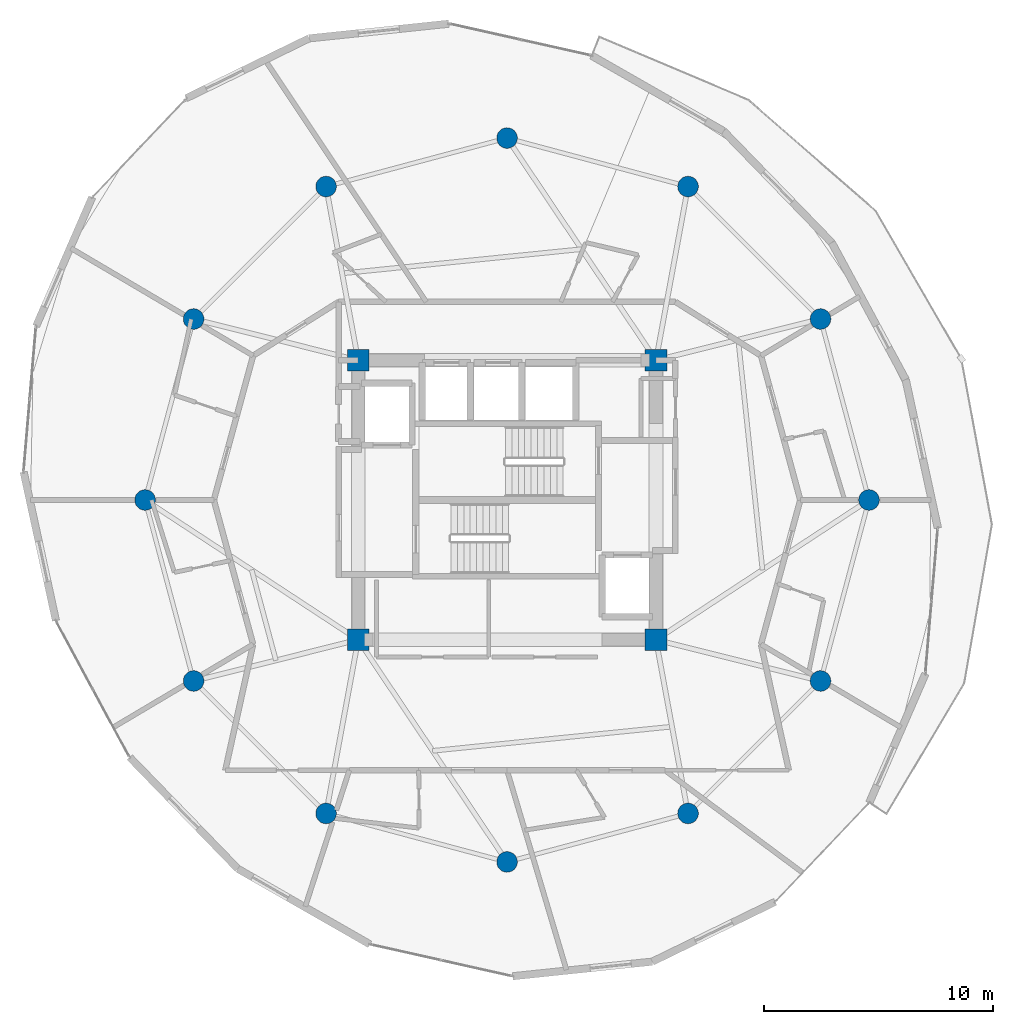
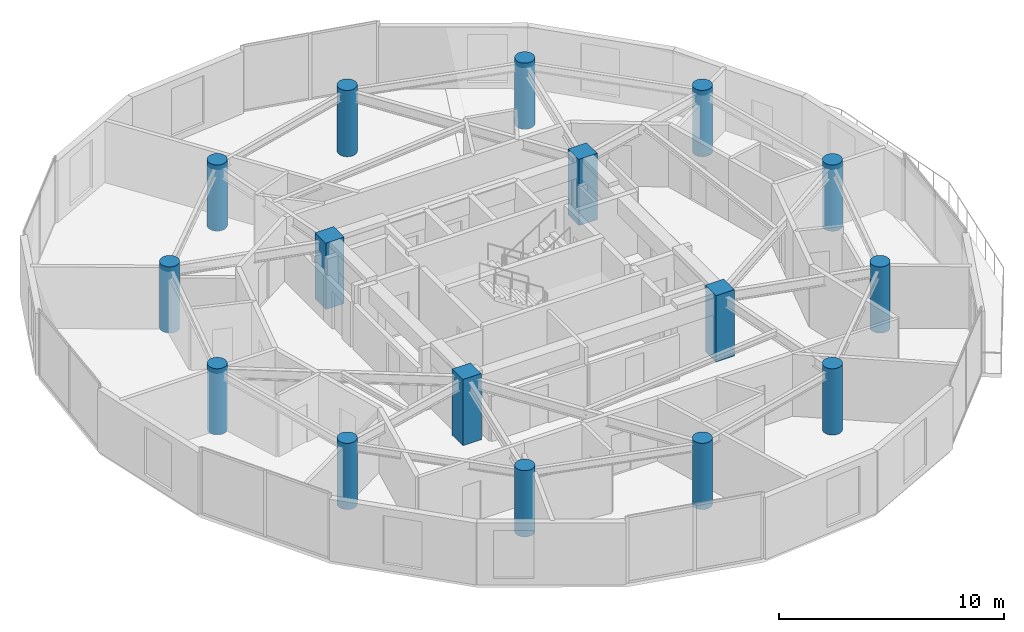
# One storey, part 1 of 23: 16 columns.
"""IFC4 building model written with IfcOpenShell, lengths in metres."""

from ifc_helpers import new_model, si_unit, direction, frame, origin, origin_2d, place, context, subcontext, project, spatial, rectangle, circle, extrude, material, material_profile, profile_set, type_object, element, save


model = new_model("IFC4")

# Units and contexts
model_context = context("Model", 3, precision=1e-05, world=origin(), true_north=direction((0.0, 1.0)))
body_context = subcontext(model_context, "Body", "Model", "MODEL_VIEW")
ifc_project = project(units=[si_unit("LENGTHUNIT", "METRE"), si_unit("AREAUNIT", "SQUARE_METRE"), si_unit("VOLUMEUNIT", "CUBIC_METRE"), si_unit("PLANEANGLEUNIT", "RADIAN"), si_unit("MASSUNIT", "GRAM", prefix="KILO")], contexts=[model_context])

# Site, building, storey
site_placement = place(None, origin())
site = spatial("IfcSite", under=ifc_project, at=site_placement, CompositionType="ELEMENT")
building_placement = place(site_placement, origin())
building = spatial("IfcBuilding", under=site, at=building_placement, Name="Solvirekh Grand Hotel", CompositionType="ELEMENT")
storey_placement = place(building_placement, frame((0.0, 0.0, 173.199951171875)))
storey = spatial("IfcBuildingStorey", under=building, at=storey_placement, Name="L44", CompositionType="ELEMENT", Elevation=173.199951171875)

# Columns
ifc_material = material(Name="Concrete C50/60", Category="concrete")
ifc_material_profile_1 = material_profile(ifc_material, rectangle(XDim=0.949951171875, YDim=0.949951171875, at=origin_2d()), Name="RC 950X950")
ifc_profile_set_1 = profile_set([ifc_material_profile_1], Name="Concrete C50/60")
column_type_1 = type_object("IfcColumnType", Name="Col_Core_950", PredefinedType="COLUMN", material=ifc_profile_set_1)
for number, where, z_axis, x_axis, name in (
    (1, (-6.5, -6.10009765625, 0.0), (0.0, 0.0, 1.0), (1.0, 0.0, 0.0), "L44 core corner column CC1"),
    (2, (6.5, -6.10009765625, 0.0), (0.0, 0.0, 1.0), (1.0, 0.0, 0.0), "L44 core corner column CC2"),
    (3, (6.5, 6.10009765625, 0.0), (0.0, 0.0, 1.0), (1.0, 0.0, 0.0), "L44 core corner column CC3"),
    (4, (-6.5, 6.10009765625, 0.0), (0.0, 0.0, 1.0), (1.0, 0.0, 0.0), "L44 core corner column CC4"),
):
    element("IfcColumn", number, at=place(storey_placement, frame(where, z_axis=z_axis, x_axis=x_axis)), inside=storey, type_object=column_type_1, Name=name, PredefinedType="COLUMN", context=body_context, shape_type="SweptSolid", body=[
        extrude(rectangle(XDim=0.949951171875, YDim=0.949951171875, at=origin_2d()), origin(), (0.0, 0.0, 1.0), 3.60009765625),
    ])
ifc_material_profile_2 = material_profile(ifc_material, circle(Radius=0.449951171875, at=origin_2d()), Name="RC CIRC D900")
ifc_profile_set_2 = profile_set([ifc_material_profile_2], Name="Concrete C50/60")
column_type_2 = type_object("IfcColumnType", Name="Col_Z3_D900", PredefinedType="COLUMN", material=ifc_profile_set_2)
for number, where, z_axis, x_axis, name in (
    (5, (15.800048828125, 0.0, 0.0), (0.0, 0.0, 1.0), (1.0, 0.0, 0.0), "L44 perimeter column P01"),
    (6, (13.68310546875, 7.89990234375, 0.0), (0.0, 0.0, 1.0), (1.0, 0.0, 0.0), "L44 perimeter column P02"),
    (7, (7.89990234375, 13.68310546875, 0.0), (0.0, 0.0, 1.0), (1.0, 0.0, 0.0), "L44 perimeter column P03"),
    (8, (0.0, 15.800048828125, 0.0), (0.0, 0.0, 1.0), (1.0, 0.0, 0.0), "L44 perimeter column P04"),
    (9, (-7.89990234375, 13.68310546875, 0.0), (0.0, 0.0, 1.0), (1.0, 0.0, 0.0), "L44 perimeter column P05"),
    (10, (-13.68310546875, 7.89990234375, 0.0), (0.0, 0.0, 1.0), (1.0, 0.0, 0.0), "L44 perimeter column P06"),
    (11, (-15.800048828125, 0.0, 0.0), (0.0, 0.0, 1.0), (1.0, 0.0, 0.0), "L44 perimeter column P07"),
    (12, (-13.68310546875, -7.89990234375, 0.0), (0.0, 0.0, 1.0), (1.0, 0.0, 0.0), "L44 perimeter column P08"),
    (13, (-7.89990234375, -13.68310546875, 0.0), (0.0, 0.0, 1.0), (1.0, 0.0, 0.0), "L44 perimeter column P09"),
    (14, (0.0, -15.800048828125, 0.0), (0.0, 0.0, 1.0), (1.0, 0.0, 0.0), "L44 perimeter column P10"),
    (15, (7.89990234375, -13.68310546875, 0.0), (0.0, 0.0, 1.0), (1.0, 0.0, 0.0), "L44 perimeter column P11"),
    (16, (13.68310546875, -7.89990234375, 0.0), (0.0, 0.0, 1.0), (1.0, 0.0, 0.0), "L44 perimeter column P12"),
):
    element("IfcColumn", number, at=place(storey_placement, frame(where, z_axis=z_axis, x_axis=x_axis)), inside=storey, type_object=column_type_2, Name=name, PredefinedType="COLUMN", context=body_context, shape_type="SweptSolid", body=[
        extrude(circle(Radius=0.449951171875, at=origin_2d()), origin(), (0.0, 0.0, 1.0), 3.60009765625),
    ])

save(model, "model.ifc")
